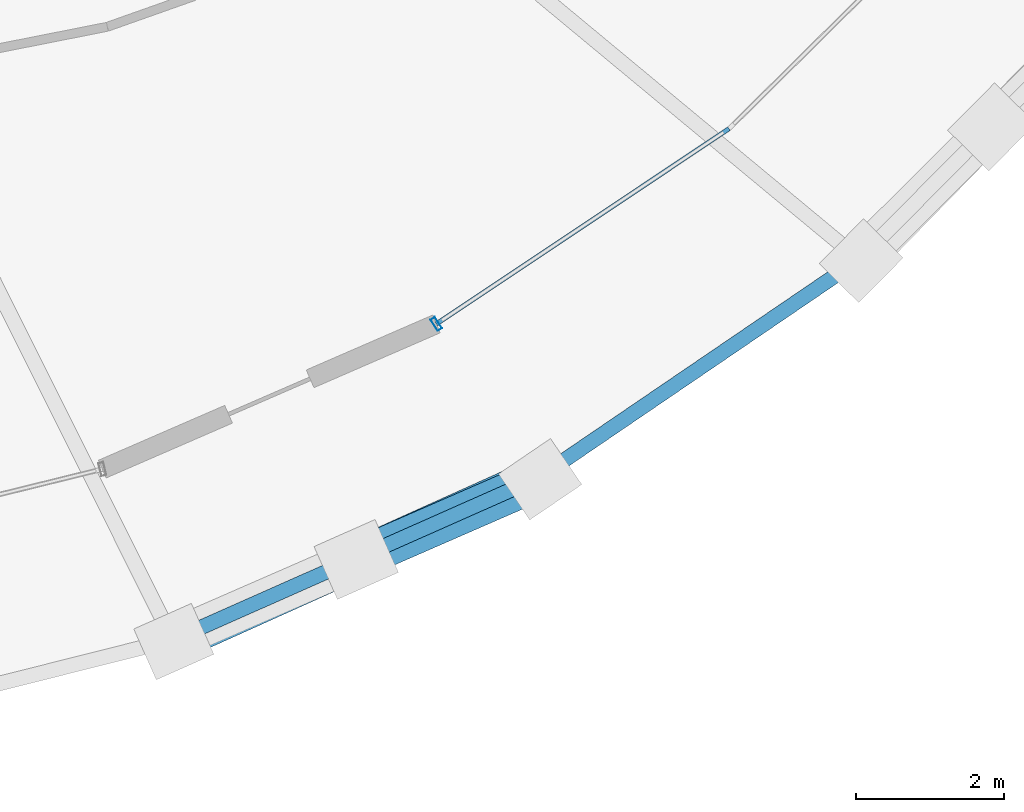
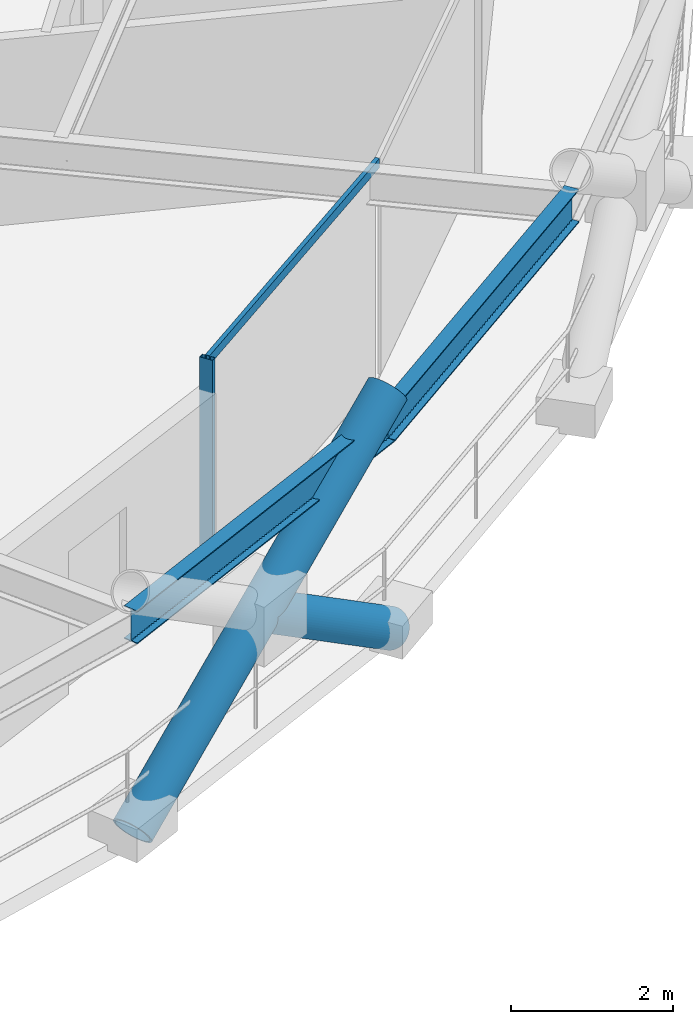
# One storey, part 5 of 21: 4 members, 2 beams, 1 element without a shape of its own.
"""IFC4 building model written with IfcOpenShell, lengths in metres."""

from ifc_helpers import new_model, si_unit, direction, frame, origin, origin_2d, place, context, subcontext, project, spatial, hollow_rectangle, hollow_circle, i_section, extrude, material, layer, layer_set, material_profile, profile_set, type_object, element, aggregate, save


model = new_model("IFC4")

# Units and contexts
model_context = context("Model", 3, precision=1e-05, world=origin(), true_north=direction((0.0, 1.0)))
body_context = subcontext(model_context, "Body", "Model", "MODEL_VIEW")
ifc_project = project(units=[si_unit("LENGTHUNIT", "METRE"), si_unit("AREAUNIT", "SQUARE_METRE"), si_unit("VOLUMEUNIT", "CUBIC_METRE"), si_unit("PLANEANGLEUNIT", "RADIAN"), si_unit("MASSUNIT", "GRAM", prefix="KILO")], contexts=[model_context])

# Site, building, storey
site_placement = place(None, origin())
site = spatial("IfcSite", under=ifc_project, at=site_placement, CompositionType="ELEMENT")
building_placement = place(site_placement, origin())
building = spatial("IfcBuilding", under=site, at=building_placement, Name="Veldorina Hangang Commons", CompositionType="ELEMENT")
storey_placement = place(building_placement, frame((0.0, 0.0, 128.0)))
storey = spatial("IfcBuildingStorey", under=building, at=storey_placement, Name="L32", CompositionType="ELEMENT", Elevation=128.0)

# Beams
ifc_material_1 = material(Name="Steel SM420-TMC", Category="steel")
ifc_material_profile_1 = material_profile(ifc_material_1, i_section(OverallWidth=0.199951171875, OverallDepth=0.5, WebThickness=0.010009765625, FlangeThickness=0.01611328125, FilletRadius=0.01611328125, at=origin_2d()), Name="H-500x200x10x16")
ifc_profile_set_1 = profile_set([ifc_material_profile_1], Name="Steel SM420-TMC")
beam_type = type_object("IfcBeamType", Name="BM-RB500", PredefinedType="BEAM", material=ifc_profile_set_1)
beam_1_placement = place(storey_placement, frame((42.92529296875, 2.1181640625, 3.10009765625), z_axis=(0.914152451428, 0.405370565715, 0.0), x_axis=(-0.405370565715, 0.914152451428, 0.0)))
element("IfcBeam", 1, at=beam_1_placement, inside=storey, type_object=beam_type, Name="L32 perimeter hoop ring beam 26", PredefinedType="BEAM", context=body_context, shape_type="SweptSolid", body=[
    extrude(i_section(OverallWidth=0.199951171875, OverallDepth=0.5, WebThickness=0.010009765625, FlangeThickness=0.01611328125, FilletRadius=0.01611328125, at=origin_2d()), origin(), (0.0, 0.0, 1.0), 5.3994140625),
])
beam_2_placement = place(storey_placement, frame((47.861083984375, 4.306884765625, 3.10009765625), z_axis=(0.826607096324, 0.56277944908, 0.0), x_axis=(-0.56277944908, 0.826607096324, 0.0)))
element("IfcBeam", 2, at=beam_2_placement, inside=storey, type_object=beam_type, Name="L32 perimeter hoop ring beam 27", PredefinedType="BEAM", context=body_context, shape_type="SweptSolid", body=[
    extrude(i_section(OverallWidth=0.199951171875, OverallDepth=0.5, WebThickness=0.010009765625, FlangeThickness=0.01611328125, FilletRadius=0.01611328125, at=origin_2d()), origin(), (0.0, 0.0, 1.0), 5.23388671875),
])

# Curtain wall, members
ifc_material_2 = material(Name="Glass Low-E Triple IGU", Category="glass")
ifc_layer = layer(ifc_material_2, 0.179931640625)
ifc_layer_set = layer_set([ifc_layer], Name="Glass Low-E Triple IGU")
curtain_wall_type = type_object("IfcCurtainWallType", Name="CW-SYS-Z2", PredefinedType="NOTDEFINED", material=ifc_layer_set)
curtain_wall_placement = place(storey_placement, origin())
curtain_wall = element("IfcCurtainWall", 3, at=curtain_wall_placement, inside=storey, type_object=curtain_wall_type, Name="L32 unitised curtain wall CW-L32-R2", PredefinedType="NOTDEFINED")
ifc_material_3 = material(Name="Aluminium Anodized AA6063-T6", Category="aluminium")
ifc_material_profile_2 = material_profile(ifc_material_3, hollow_rectangle(XDim=0.070068359375, YDim=0.179931640625, WallThickness=0.00390625, at=origin_2d()), Name="ALU-RHS-180x70x4")
ifc_profile_set_2 = profile_set([ifc_material_profile_2], Name="Aluminium Anodized AA6063-T6")
member_type_1 = type_object("IfcMemberType", Name="CW-MUL-180", PredefinedType="MULLION", material=ifc_profile_set_2)
member_1_placement = place(storey_placement, frame((46.481201171875, 6.381103515625, 0.0), z_axis=(0.0, 0.0, 1.0), x_axis=(0.831857270839, 0.554989622383, 0.0)))
member_1 = element("IfcMember", 4, at=member_1_placement, type_object=member_type_1, Name="CW-L32-R2 vertical mullion 1", PredefinedType="MULLION", context=body_context, shape_type="SweptSolid", body=[
    extrude(hollow_rectangle(XDim=0.070068359375, YDim=0.179931640625, WallThickness=0.00390625, at=origin_2d()), origin(), (0.0, 0.0, 1.0), 3.31005859375),
])
ifc_material_profile_3 = material_profile(ifc_material_3, hollow_rectangle(XDim=0.06005859375, YDim=0.139892578125, WallThickness=0.00341796875, at=origin_2d()), Name="ALU-RHS-140x60x3.5")
ifc_profile_set_3 = profile_set([ifc_material_profile_3], Name="Aluminium Anodized AA6063-T6")
member_type_2 = type_object("IfcMemberType", Name="CW-TRN-140", PredefinedType="USERDEFINED", material=ifc_profile_set_3)
member_2_placement = place(storey_placement, frame((46.481201171875, 6.381103515625, 3.27001953125), z_axis=(0.831836664367, 0.555020507562, 0.0), x_axis=(-0.555020507562, 0.831836664367, 0.0)))
member_2 = element("IfcMember", 5, at=member_2_placement, type_object=member_type_2, Name="CW-L32-R2 facet 1 transom 1", ObjectType="TRANSOM", PredefinedType="USERDEFINED", context=body_context, shape_type="SweptSolid", body=[
    extrude(hollow_rectangle(XDim=0.06005859375, YDim=0.139892578125, WallThickness=0.00341796875, at=origin_2d()), origin(), (0.0, 0.0, 1.0), 4.74853515625),
])
aggregate(curtain_wall, [member_1, member_2])

# Members
ifc_material_profile_4 = material_profile(ifc_material_1, hollow_circle(Radius=0.27490234375, WallThickness=0.028076171875, at=origin_2d()), Name="CHS-550x28")
ifc_profile_set_4 = profile_set([ifc_material_profile_4], Name="Steel SM420-TMC")
member_type_3 = type_object("IfcMemberType", Name="DG-CHS550", PredefinedType="BRACE", material=ifc_profile_set_4)
member_3_placement = place(storey_placement, frame((42.939208984375, 2.094970703125, 0.0), z_axis=(0.758412310499, 0.341581044596, 0.555097430418), x_axis=(-0.410660095116, 0.911788509622, 0.0)))
element("IfcMember", 6, at=member_3_placement, inside=storey, type_object=member_type_3, Name="L32 continuous perimeter diagrid brace 26", PredefinedType="BRACE", context=body_context, shape_type="SweptSolid", body=[
    extrude(hollow_circle(Radius=0.27490234375, WallThickness=0.028076171875, at=origin_2d()), origin(), (0.0, 0.0, 1.0), 6.485595703125),
])
member_4_placement = place(storey_placement, frame((47.88134765625, 4.285888671875, 0.0), z_axis=(-0.763043915463, -0.332940043413, 0.553999016757), x_axis=(0.399919659441, -0.916550198294, 0.0)))
element("IfcMember", 7, at=member_4_placement, inside=storey, type_object=member_type_3, Name="L32 split perimeter diagrid lower brace 27", PredefinedType="BRACE", context=body_context, shape_type="SweptSolid", body=[
    extrude(hollow_circle(Radius=0.27490234375, WallThickness=0.028076171875, at=origin_2d()), origin(), (0.0, 0.0, 1.0), 3.25146484375),
])

save(model, "model.ifc")
